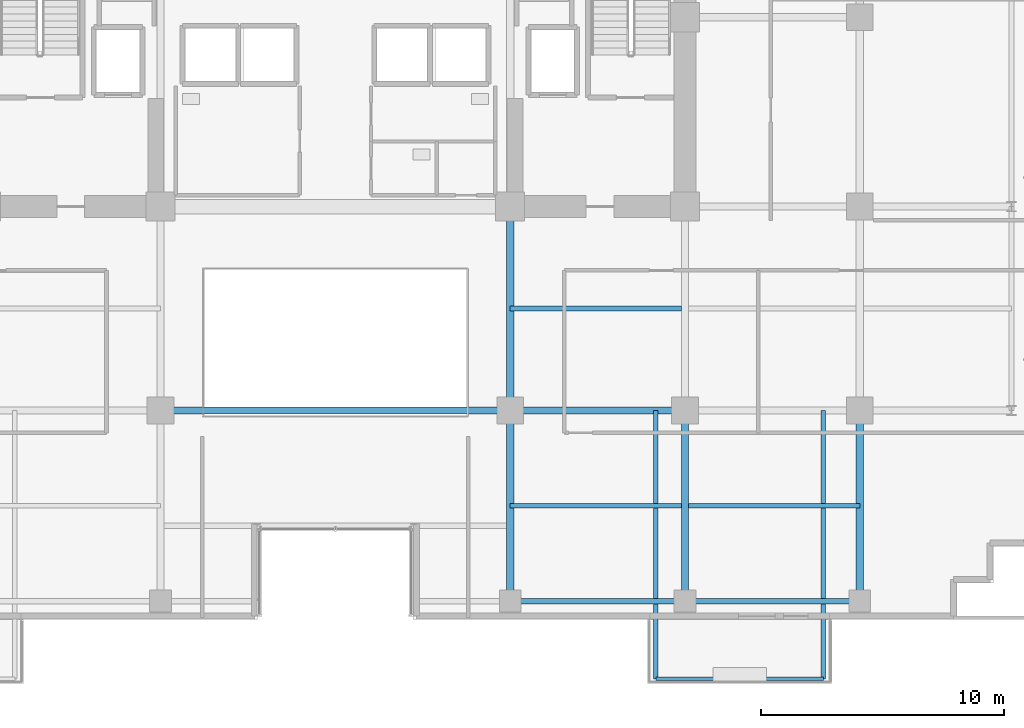
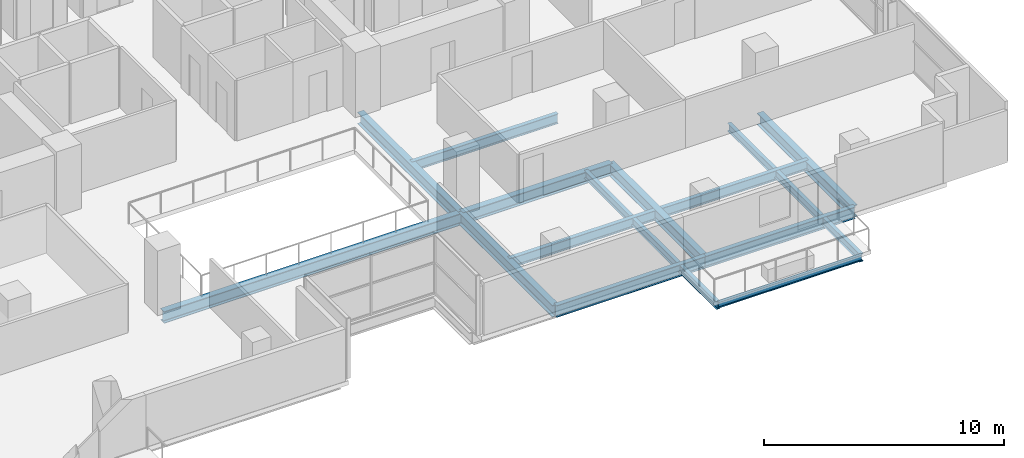
# One storey, part 10 of 30: 14 beams.
"""IFC4 building model written with IfcOpenShell, lengths in metres."""

from ifc_helpers import new_model, si_unit, direction, frame, origin, origin_2d, place, context, subcontext, project, spatial, i_section, extrude, material, material_profile, profile_set, type_object, element, save


model = new_model("IFC4")

# Units and contexts
model_context = context("Model", 3, precision=1e-05, world=origin(), true_north=direction((0.0, 1.0)))
body_context = subcontext(model_context, "Body", "Model", "MODEL_VIEW")
ifc_project = project(units=[si_unit("LENGTHUNIT", "METRE"), si_unit("AREAUNIT", "SQUARE_METRE"), si_unit("VOLUMEUNIT", "CUBIC_METRE"), si_unit("PLANEANGLEUNIT", "RADIAN"), si_unit("MASSUNIT", "GRAM", prefix="KILO")], contexts=[model_context])

# Site, building, storey
site_placement = place(None, origin())
site = spatial("IfcSite", under=ifc_project, at=site_placement, CompositionType="ELEMENT")
building_placement = place(site_placement, origin())
building = spatial("IfcBuilding", under=site, at=building_placement, Name="Zarnakvel Exchange Tower", CompositionType="ELEMENT")
storey_placement = place(building_placement, frame((0.0, 0.0, 40.60009765625)))
storey = spatial("IfcBuildingStorey", under=building, at=storey_placement, Name="L10", CompositionType="ELEMENT", Elevation=40.60009765625)

# Beams
ifc_material = material(Name="Steel S355", Category="steel")
ifc_material_profile_1 = material_profile(ifc_material, i_section(OverallWidth=0.199951171875, OverallDepth=0.5, WebThickness=0.01025390625, FlangeThickness=0.01611328125, FilletRadius=0.02099609375, at=origin_2d()))
ifc_profile_set_1 = profile_set([ifc_material_profile_1], Name="Steel S355")
beam_type_1 = type_object("IfcBeamType", Name="B-04", PredefinedType="JOIST", material=ifc_profile_set_1)
for number, where, z_axis, x_axis, name in (
    (1, (7.199951171875, -13.52490234375, -0.47509765625), (1.0, 0.0, 0.0), (0.0, 1.0, 0.0), "L10 Composite Floor Secondary Joist"),
    (2, (14.550048828125, -13.52490234375, -0.47509765625), (1.0, 0.0, 0.0), (0.0, 1.0, 0.0), "L10 Composite Floor Secondary Joist"),
    (3, (7.199951171875, -5.39990234375, -0.47509765625), (1.0, 0.0, 0.0), (0.0, 1.0, 0.0), "L10 Composite Floor Secondary Joist"),
):
    element("IfcBeam", number, at=place(storey_placement, frame(where, z_axis=z_axis, x_axis=x_axis)), inside=storey, type_object=beam_type_1, Name=name, PredefinedType="JOIST", context=body_context, shape_type="SweptSolid", body=[
        extrude(i_section(OverallWidth=0.199951171875, OverallDepth=0.5, WebThickness=0.01025390625, FlangeThickness=0.01611328125, FilletRadius=0.02099609375, at=origin_2d()), origin(), (0.0, 0.0, 1.0), 7.050048828125),
    ])
ifc_material_profile_2 = material_profile(ifc_material, i_section(OverallWidth=0.179931640625, OverallDepth=0.39990234375, WebThickness=0.008544921875, FlangeThickness=0.013427734375, FilletRadius=0.02099609375, at=origin_2d()))
ifc_profile_set_2 = profile_set([ifc_material_profile_2], Name="Steel S355")
beam_type_2 = type_object("IfcBeamType", Name="B-06", PredefinedType="JOIST", material=ifc_profile_set_2)
for number, where, z_axis, x_axis, name in (
    (4, (13.199951171875, -9.60009765625, -0.425048828125), (0.0, -1.0, 0.0), (1.0, 0.0, 0.0), "L10 Continuous Back-Spanned Balcony Beam W"),
    (5, (20.10009765625, -9.60009765625, -0.425048828125), (0.0, -1.0, 0.0), (1.0, 0.0, 0.0), "L10 Continuous Back-Spanned Balcony Beam E"),
):
    element("IfcBeam", number, at=place(storey_placement, frame(where, z_axis=z_axis, x_axis=x_axis)), inside=storey, type_object=beam_type_2, Name=name, PredefinedType="JOIST", context=body_context, shape_type="SweptSolid", body=[
        extrude(i_section(OverallWidth=0.179931640625, OverallDepth=0.39990234375, WebThickness=0.008544921875, FlangeThickness=0.013427734375, FilletRadius=0.02099609375, at=origin_2d()), origin(), (0.0, 0.0, 1.0), 11.0498046875),
    ])
ifc_material_profile_3 = material_profile(ifc_material, i_section(OverallWidth=0.14990234375, OverallDepth=0.300048828125, WebThickness=0.007080078125, FlangeThickness=0.0107421875, FilletRadius=0.014892578125, at=origin_2d()))
ifc_profile_set_3 = profile_set([ifc_material_profile_3], Name="Steel S355")
beam_type_3 = type_object("IfcBeamType", Name="B-08", PredefinedType="JOIST", material=ifc_profile_set_3)
beam_1_placement = place(storey_placement, frame((13.199951171875, -20.64990234375, -0.375), z_axis=(1.0, 0.0, 0.0), x_axis=(0.0, 1.0, 0.0)))
element("IfcBeam", 6, at=beam_1_placement, inside=storey, type_object=beam_type_3, Name="L10 Balcony Edge Beam", PredefinedType="JOIST", context=body_context, shape_type="SweptSolid", body=[
    extrude(i_section(OverallWidth=0.14990234375, OverallDepth=0.300048828125, WebThickness=0.007080078125, FlangeThickness=0.0107421875, FilletRadius=0.014892578125, at=origin_2d()), origin(), (0.0, 0.0, 1.0), 6.900146484375),
])
ifc_material_profile_4 = material_profile(ifc_material, i_section(OverallWidth=0.300048828125, OverallDepth=0.60009765625, WebThickness=0.015380859375, FlangeThickness=0.030029296875, FilletRadius=0.027099609375, at=origin_2d()))
ifc_profile_set_4 = profile_set([ifc_material_profile_4], Name="Steel S355")
beam_type_4 = type_object("IfcBeamType", Name="G-04", PredefinedType="BEAM", material=ifc_profile_set_4)
beam_2_placement = place(storey_placement, frame((-7.199951171875, -9.60009765625, -0.525146484375), z_axis=(1.0, 0.0, 0.0), x_axis=(0.0, 1.0, 0.0)))
element("IfcBeam", 7, at=beam_2_placement, inside=storey, type_object=beam_type_4, Name="L10 Tower E-W Frame Beam", PredefinedType="BEAM", context=body_context, shape_type="SweptSolid", body=[
    extrude(i_section(OverallWidth=0.300048828125, OverallDepth=0.60009765625, WebThickness=0.015380859375, FlangeThickness=0.030029296875, FilletRadius=0.027099609375, at=origin_2d()), origin(), (0.0, 0.0, 1.0), 14.39990234375),
])
beam_3_placement = place(storey_placement, frame((7.199951171875, -9.60009765625, -0.525146484375), z_axis=(1.0, 0.0, 0.0), x_axis=(0.0, 1.0, 0.0)))
element("IfcBeam", 8, at=beam_3_placement, inside=storey, type_object=beam_type_4, Name="L10 Tower E-W Frame Beam", PredefinedType="BEAM", context=body_context, shape_type="SweptSolid", body=[
    extrude(i_section(OverallWidth=0.300048828125, OverallDepth=0.60009765625, WebThickness=0.015380859375, FlangeThickness=0.030029296875, FilletRadius=0.027099609375, at=origin_2d()), origin(), (0.0, 0.0, 1.0), 7.199951171875),
])
beam_4_placement = place(storey_placement, frame((7.199951171875, -17.449951171875, -0.525146484375), z_axis=(0.0, 1.0, 0.0), x_axis=(-1.0, 0.0, 0.0)))
element("IfcBeam", 9, at=beam_4_placement, inside=storey, type_object=beam_type_4, Name="L10 Tower N-S Frame Beam", PredefinedType="BEAM", context=body_context, shape_type="SweptSolid", body=[
    extrude(i_section(OverallWidth=0.300048828125, OverallDepth=0.60009765625, WebThickness=0.015380859375, FlangeThickness=0.030029296875, FilletRadius=0.027099609375, at=origin_2d()), origin(), (0.0, 0.0, 1.0), 7.849853515625),
])
beam_5_placement = place(storey_placement, frame((7.199951171875, -9.60009765625, -0.525146484375), z_axis=(0.0, 1.0, 0.0), x_axis=(-1.0, 0.0, 0.0)))
element("IfcBeam", 10, at=beam_5_placement, inside=storey, type_object=beam_type_4, Name="L10 Tower N-S Frame Beam", PredefinedType="BEAM", context=body_context, shape_type="SweptSolid", body=[
    extrude(i_section(OverallWidth=0.300048828125, OverallDepth=0.60009765625, WebThickness=0.015380859375, FlangeThickness=0.030029296875, FilletRadius=0.027099609375, at=origin_2d()), origin(), (0.0, 0.0, 1.0), 8.400146484375),
])
for number, where, z_axis, x_axis, name in (
    (11, (14.39990234375, -17.449951171875, -0.525146484375), (0.0, 1.0, 0.0), (-1.0, 0.0, 0.0), "L10 Tower N-S Frame Beam"),
    (12, (21.60009765625, -17.449951171875, -0.525146484375), (0.0, 1.0, 0.0), (-1.0, 0.0, 0.0), "L10 Tower N-S Frame Beam"),
):
    element("IfcBeam", number, at=place(storey_placement, frame(where, z_axis=z_axis, x_axis=x_axis)), inside=storey, type_object=beam_type_4, Name=name, PredefinedType="BEAM", context=body_context, shape_type="SweptSolid", body=[
        extrude(i_section(OverallWidth=0.300048828125, OverallDepth=0.60009765625, WebThickness=0.015380859375, FlangeThickness=0.030029296875, FilletRadius=0.027099609375, at=origin_2d()), origin(), (0.0, 0.0, 1.0), 7.849853515625),
    ])
ifc_material_profile_5 = material_profile(ifc_material, i_section(OverallWidth=0.219970703125, OverallDepth=0.60009765625, WebThickness=0.011962890625, FlangeThickness=0.01904296875, FilletRadius=0.02392578125, at=origin_2d()))
ifc_profile_set_5 = profile_set([ifc_material_profile_5], Name="Steel S355")
beam_type_5 = type_object("IfcBeamType", Name="SP-01", PredefinedType="SPANDREL", material=ifc_profile_set_5)
beam_6_placement = place(storey_placement, frame((7.199951171875, -17.449951171875, -0.525146484375), z_axis=(1.0, 0.0, 0.0), x_axis=(0.0, 1.0, 0.0)))
element("IfcBeam", 13, at=beam_6_placement, inside=storey, type_object=beam_type_5, Name="L10 Tower E-W Frame Beam", PredefinedType="SPANDREL", context=body_context, shape_type="SweptSolid", body=[
    extrude(i_section(OverallWidth=0.219970703125, OverallDepth=0.60009765625, WebThickness=0.011962890625, FlangeThickness=0.01904296875, FilletRadius=0.02392578125, at=origin_2d()), origin(), (0.0, 0.0, 1.0), 7.199951171875),
])
beam_7_placement = place(storey_placement, frame((14.39990234375, -17.449951171875, -0.525146484375), z_axis=(1.0, 0.0, 0.0), x_axis=(0.0, 1.0, 0.0)))
element("IfcBeam", 14, at=beam_7_placement, inside=storey, type_object=beam_type_5, Name="L10 Tower E-W Frame Beam", PredefinedType="SPANDREL", context=body_context, shape_type="SweptSolid", body=[
    extrude(i_section(OverallWidth=0.219970703125, OverallDepth=0.60009765625, WebThickness=0.011962890625, FlangeThickness=0.01904296875, FilletRadius=0.02392578125, at=origin_2d()), origin(), (0.0, 0.0, 1.0), 7.2001953125),
])

save(model, "model.ifc")
